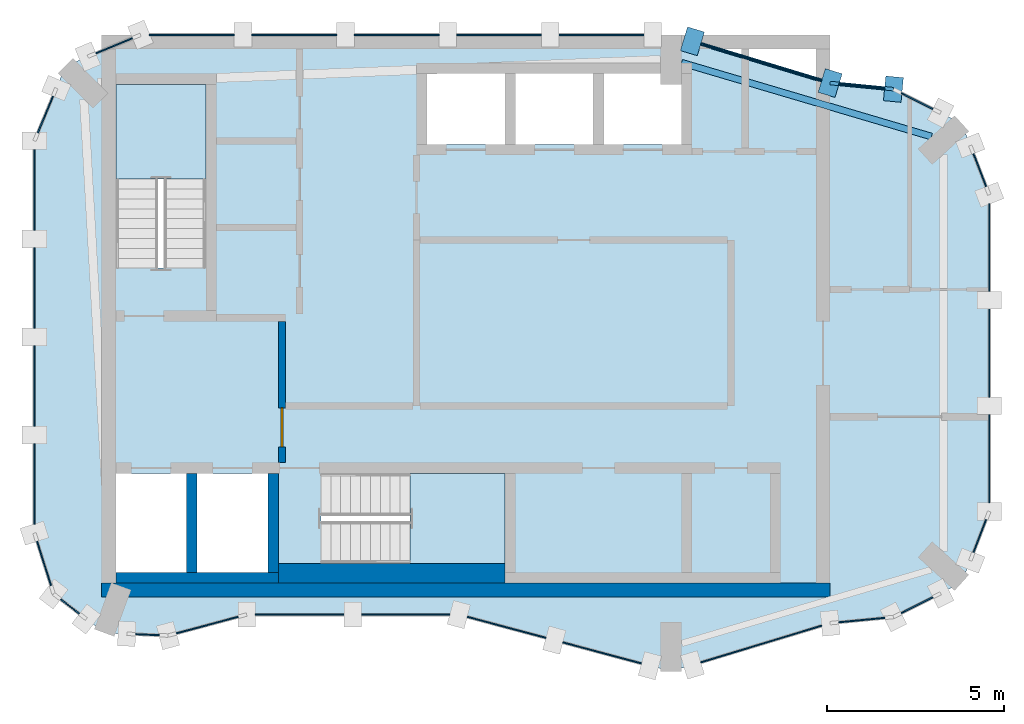
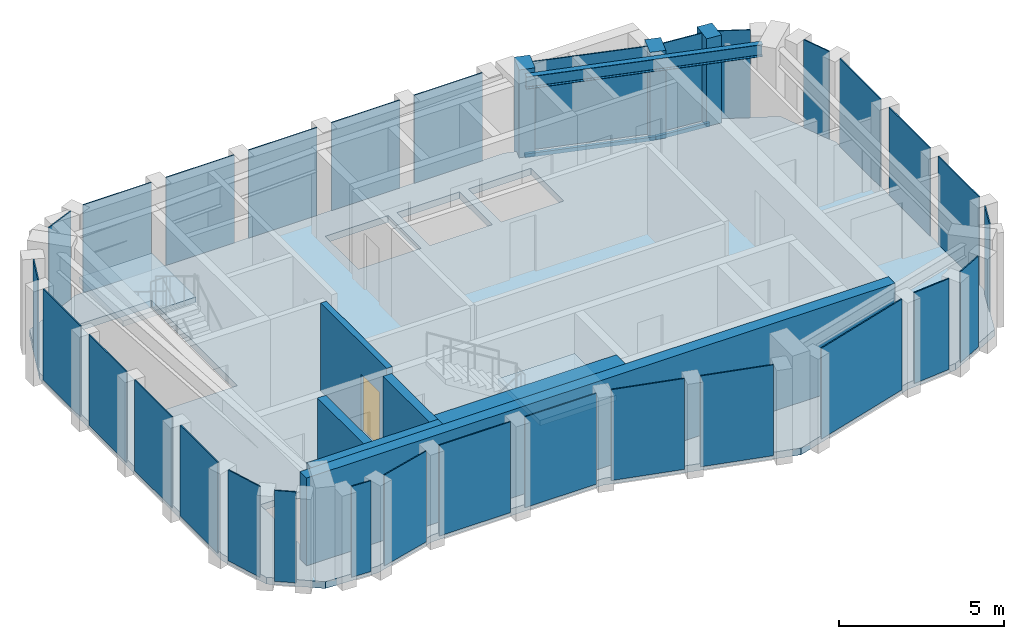
# One storey, part 2 of 5: 30 plates, 6 walls, 5 members, 3 slabs, 1 beam, 1 door, 1 opening, 21 elements without a shape of their own.
"""IFC4 building model written with IfcOpenShell, lengths in metres."""

from ifc_helpers import new_model, si_unit, direction, frame, frame_2d, origin, origin_2d, place, context, subcontext, project, spatial, polyline, rectangle, i_section, outline, extrude, material, layer, layer_set, material_profile, profile_set, type_object, element, fill, aggregate, save


model = new_model("IFC4")

# Units and contexts
model_context = context("Model", 3, precision=1e-05, world=origin(), true_north=direction((0.0, 1.0)))
body_context = subcontext(model_context, "Body", "Model", "MODEL_VIEW")
ifc_project = project(units=[si_unit("LENGTHUNIT", "METRE"), si_unit("AREAUNIT", "SQUARE_METRE"), si_unit("VOLUMEUNIT", "CUBIC_METRE"), si_unit("PLANEANGLEUNIT", "RADIAN"), si_unit("MASSUNIT", "GRAM", prefix="KILO")], contexts=[model_context])

# Site, building, storey
site_placement = place(None, origin())
site = spatial("IfcSite", under=ifc_project, at=site_placement, CompositionType="ELEMENT")
building_placement = place(site_placement, origin())
building = spatial("IfcBuilding", under=site, at=building_placement, Name="Plateau Cross Towers", CompositionType="ELEMENT")
storey_placement = place(building_placement, frame((0.0, 0.0, 305.39990234375)))
storey = spatial("IfcBuildingStorey", under=building, at=storey_placement, Name="L81 Crown 3", CompositionType="ELEMENT", Elevation=305.39990234375)

# Beam
ifc_material_1 = material(Name="Steel S355", Category="steel")
ifc_material_profile_1 = material_profile(ifc_material_1, i_section(OverallWidth=0.18994140625, OverallDepth=0.453369140625, WebThickness=0.008544921875, FlangeThickness=0.0126953125, FilletRadius=0.01025390625, at=origin_2d()), Name="UB 457x191x67")
ifc_profile_set_1 = profile_set([ifc_material_profile_1], Name="Steel S355")
beam_type = type_object("IfcBeamType", Name="Crown ring beam UB 457x191x67", PredefinedType="BEAM", material=ifc_profile_set_1)
beam_placement = place(storey_placement, frame((25.366455078125, 15.122314453125, 3.0234375), z_axis=(-0.958969404993, 0.283509577064, 0.0), x_axis=(-0.283509577064, -0.958969404993, 0.0)))
element("IfcBeam", 1, at=beam_placement, inside=storey, type_object=beam_type, Name="CRB-L81 Crown 3-03", PredefinedType="BEAM", context=body_context, shape_type="SweptSolid", body=[
    extrude(i_section(OverallWidth=0.18994140625, OverallDepth=0.453369140625, WebThickness=0.008544921875, FlangeThickness=0.0126953125, FilletRadius=0.01025390625, at=origin_2d()), origin(), (0.0, 0.0, 1.0), 7.36865234375),
])

# Curtain wall, member
ifc_material_2 = material(Name="Dark low-iron glass", Category="glass")
ifc_layer_1 = layer(ifc_material_2, 0.800048828125)
ifc_layer_set_1 = layer_set([ifc_layer_1], Name="Dark low-iron glass")
curtain_wall_type = type_object("IfcCurtainWallType", Name="Curtain wall sky lounge CW-D", PredefinedType="NOTDEFINED", material=ifc_layer_set_1)
curtain_wall_1_placement = place(storey_placement, origin())
curtain_wall_1 = element("IfcCurtainWall", 2, at=curtain_wall_1_placement, inside=storey, type_object=curtain_wall_type, Name="ENV/A/L81 Crown 3/A243_165", PredefinedType="NOTDEFINED")
ifc_material_3 = material(Name="Black anodised aluminium", Category="aluminium")
ifc_material_profile_2 = material_profile(ifc_material_3, rectangle(XDim=0.5, YDim=0.699951171875, at=origin_2d()), Name="MULLION 500x700")
ifc_profile_set_2 = profile_set([ifc_material_profile_2], Name="Black anodised aluminium")
member_type_1 = type_object("IfcMemberType", Name="Mullion 500x700 sky lounge", PredefinedType="MULLION", material=ifc_profile_set_2)
member_1_placement = place(storey_placement, frame((24.289794921875, 16.463134765625, -0.25), z_axis=(0.0, 0.0, 1.0), x_axis=(-0.995322680406, 0.096606220658, 0.0)))
member_1 = element("IfcMember", 3, at=member_1_placement, type_object=member_type_1, Name="CW-D mullion 1", PredefinedType="MULLION", context=body_context, shape_type="SweptSolid", body=[
    extrude(rectangle(XDim=0.5, YDim=0.699951171875, at=origin_2d()), origin(), (0.0, 0.0, 1.0), 3.5),
])

# Curtain wall, members
curtain_wall_2_placement = place(storey_placement, origin())
curtain_wall_2 = element("IfcCurtainWall", 4, at=curtain_wall_2_placement, inside=storey, type_object=curtain_wall_type, Name="ENV/A/L81 Crown 3/A225_166", PredefinedType="NOTDEFINED")
member_2_placement = place(storey_placement, frame((22.5, 16.63671875, -0.25), z_axis=(0.0, 0.0, 1.0), x_axis=(-0.957048328724, 0.289928433386, 0.0)))
member_2 = element("IfcMember", 5, at=member_2_placement, type_object=member_type_1, Name="CW-D mullion 1", PredefinedType="MULLION", context=body_context, shape_type="SweptSolid", body=[
    extrude(rectangle(XDim=0.5, YDim=0.699951171875, at=origin_2d()), origin(), (0.0, 0.0, 1.0), 3.5),
])
member_3_placement = place(storey_placement, frame((18.60546875, 17.816650390625, -0.25), z_axis=(0.0, 0.0, 1.0), x_axis=(-0.957048328724, 0.289928433386, 0.0)))
member_3 = element("IfcMember", 6, at=member_3_placement, type_object=member_type_1, Name="CW-D mullion 2", PredefinedType="MULLION", context=body_context, shape_type="SweptSolid", body=[
    extrude(rectangle(XDim=0.5, YDim=0.699951171875, at=origin_2d()), origin(), (0.0, 0.0, 1.0), 3.5),
])

# Member
ifc_material_profile_3 = material_profile(ifc_material_3, rectangle(XDim=0.10009765625, YDim=0.139892578125, at=origin_2d()), Name="TRANSOM 100x140")
ifc_profile_set_3 = profile_set([ifc_material_profile_3], Name="Black anodised aluminium")
member_type_2 = type_object("IfcMemberType", Name="Transom 100x140 sky lounge", PredefinedType="USERDEFINED", material=ifc_profile_set_3)
member_4_placement = place(storey_placement, frame((24.289794921875, 16.463134765625, -0.179931640625), z_axis=(-0.995329836219, 0.096532466724, 0.0), x_axis=(-0.096532466724, -0.995329836219, 0.0)))
member_4 = element("IfcMember", 7, at=member_4_placement, type_object=member_type_2, Name="CW-D transom", ObjectType="TRANSOM", PredefinedType="USERDEFINED", context=body_context, shape_type="SweptSolid", body=[
    extrude(rectangle(XDim=0.10009765625, YDim=0.139892578125, at=origin_2d()), origin(), (0.0, 0.0, 1.0), 1.798095703125),
])

member_5_placement = place(storey_placement, frame((22.5, 16.63671875, -0.179931640625), z_axis=(-0.957040045132, 0.289955775961, 0.0), x_axis=(-0.289955775961, -0.957040045132, 0.0)))
member_5 = element("IfcMember", 8, at=member_5_placement, type_object=member_type_2, Name="CW-D transom", ObjectType="TRANSOM", PredefinedType="USERDEFINED", context=body_context, shape_type="SweptSolid", body=[
    extrude(rectangle(XDim=0.10009765625, YDim=0.139892578125, at=origin_2d()), origin(), (0.0, 0.0, 1.0), 4.0693359375),
])

# Curtain wall, plate
curtain_wall_3_placement = place(storey_placement, origin())
curtain_wall_3 = element("IfcCurtainWall", 9, at=curtain_wall_3_placement, inside=storey, type_object=curtain_wall_type, Name="ENV/A/L81 Crown 3/A38_10", PredefinedType="NOTDEFINED")
ifc_layer_2 = layer(ifc_material_2, 0.0400390625)
ifc_layer_set_2 = layer_set([ifc_layer_2], Name="Dark low-iron glass")
plate_type = type_object("IfcPlateType", Name="Glass panel 40 sky lounge", PredefinedType="CURTAIN_PANEL", material=ifc_layer_set_2)
plate_1_placement = place(storey_placement, frame((4.887939453125, 1.30908203125, -0.10986328125), z_axis=(0.0, 0.0, 1.0), x_axis=(0.965957962328, 0.258699081978, 0.0)))
plate_1 = element("IfcPlate", 10, at=plate_1_placement, type_object=plate_type, Name="CW-D panel 1", PredefinedType="CURTAIN_PANEL", context=body_context, shape_type="SweptSolid", body=[
    extrude(rectangle(XDim=1.80224609375, YDim=0.0400390625, at=origin_2d()), origin(), (0.0, 0.0, 1.0), 3.360107421875),
])
aggregate(curtain_wall_3, [plate_1])

# Curtain wall, plates
curtain_wall_4_placement = place(storey_placement, origin())
curtain_wall_4 = element("IfcCurtainWall", 11, at=curtain_wall_4_placement, inside=storey, type_object=curtain_wall_type, Name="ENV/A/L81 Crown 3/A60_16", PredefinedType="NOTDEFINED")
plate_2_placement = place(storey_placement, frame((7.5, 1.60693359375, -0.10986328125), z_axis=(0.0, 0.0, 1.0), x_axis=(1.0, 0.0, 0.0)))
plate_2 = element("IfcPlate", 12, at=plate_2_placement, type_object=plate_type, Name="CW-D panel 1", PredefinedType="CURTAIN_PANEL", context=body_context, shape_type="SweptSolid", body=[
    extrude(rectangle(XDim=2.5, YDim=0.0400390625, at=origin_2d()), origin(), (0.0, 0.0, 1.0), 3.360107421875),
])
plate_3_placement = place(storey_placement, frame((10.5, 1.60693359375, -0.10986328125), z_axis=(0.0, 0.0, 1.0), x_axis=(1.0, 0.0, 0.0)))
plate_3 = element("IfcPlate", 13, at=plate_3_placement, type_object=plate_type, Name="CW-D panel 2", PredefinedType="CURTAIN_PANEL", context=body_context, shape_type="SweptSolid", body=[
    extrude(rectangle(XDim=2.5, YDim=0.0400390625, at=origin_2d()), origin(), (0.0, 0.0, 1.0), 3.360107421875),
])
aggregate(curtain_wall_4, [plate_2, plate_3])

curtain_wall_5_placement = place(storey_placement, origin())
curtain_wall_5 = element("IfcCurtainWall", 14, at=curtain_wall_5_placement, inside=storey, type_object=curtain_wall_type, Name="ENV/A/L81 Crown 3/A120_16", PredefinedType="NOTDEFINED")
plate_4_placement = place(storey_placement, frame((13.350830078125, 1.2451171875, -0.10986328125), z_axis=(0.0, 0.0, 1.0), x_axis=(0.965957983404, -0.258699003279, 0.0)))
plate_4 = element("IfcPlate", 15, at=plate_4_placement, type_object=plate_type, Name="CW-D panel 1", PredefinedType="CURTAIN_PANEL", context=body_context, shape_type="SweptSolid", body=[
    extrude(rectangle(XDim=2.296875, YDim=0.0400390625, at=origin_2d()), origin(), (0.0, 0.0, 1.0), 3.360107421875),
])
plate_5_placement = place(storey_placement, frame((16.05224609375, 0.521728515625, -0.10986328125), z_axis=(0.0, 0.0, 1.0), x_axis=(0.965957983404, -0.258699003279, 0.0)))
plate_5 = element("IfcPlate", 16, at=plate_5_placement, type_object=plate_type, Name="CW-D panel 2", PredefinedType="CURTAIN_PANEL", context=body_context, shape_type="SweptSolid", body=[
    extrude(rectangle(XDim=2.296875, YDim=0.0400390625, at=origin_2d()), origin(), (0.0, 0.0, 1.0), 3.360107421875),
])
aggregate(curtain_wall_5, [plate_4, plate_5])

# Curtain wall, plate
curtain_wall_6_placement = place(storey_placement, origin())
curtain_wall_6 = element("IfcCurtainWall", 17, at=curtain_wall_6_placement, inside=storey, type_object=curtain_wall_type, Name="ENV/A/L81 Crown 3/A186_2", PredefinedType="NOTDEFINED")
plate_6_placement = place(storey_placement, frame((20.552734375, 0.7734375, -0.10986328125), z_axis=(0.0, 0.0, 1.0), x_axis=(0.957048328724, 0.289928433386, 0.0)))
plate_6 = element("IfcPlate", 18, at=plate_6_placement, type_object=plate_type, Name="CW-D panel 1", PredefinedType="CURTAIN_PANEL", context=body_context, shape_type="SweptSolid", body=[
    extrude(rectangle(XDim=3.5693359375, YDim=0.0400390625, at=origin_2d()), origin(), (0.0, 0.0, 1.0), 3.360107421875),
])
aggregate(curtain_wall_6, [plate_6])

curtain_wall_7_placement = place(storey_placement, origin())
curtain_wall_7 = element("IfcCurtainWall", 19, at=curtain_wall_7_placement, inside=storey, type_object=curtain_wall_type, Name="ENV/A/L81 Crown 3/A225_14", PredefinedType="NOTDEFINED")
plate_7_placement = place(storey_placement, frame((23.39501953125, 1.4501953125, -0.10986328125), z_axis=(0.0, 0.0, 1.0), x_axis=(0.995322680406, 0.096606220658, 0.0)))
plate_7 = element("IfcPlate", 20, at=plate_7_placement, type_object=plate_type, Name="CW-D panel 1", PredefinedType="CURTAIN_PANEL", context=body_context, shape_type="SweptSolid", body=[
    extrude(rectangle(XDim=1.29833984375, YDim=0.0400390625, at=origin_2d()), origin(), (0.0, 0.0, 1.0), 3.360107421875),
])
aggregate(curtain_wall_7, [plate_7])

curtain_wall_8_placement = place(storey_placement, origin())
curtain_wall_8 = element("IfcCurtainWall", 21, at=curtain_wall_8_placement, inside=storey, type_object=curtain_wall_type, Name="ENV/A/L81 Crown 3/A243_15", PredefinedType="NOTDEFINED")
plate_8_placement = place(storey_placement, frame((24.956787109375, 1.871826171875, -0.10986328125), z_axis=(0.0, 0.0, 1.0), x_axis=(0.893702121293, 0.448660805505, 0.0)))
plate_8 = element("IfcPlate", 22, at=plate_8_placement, type_object=plate_type, Name="CW-D panel 1", PredefinedType="CURTAIN_PANEL", context=body_context, shape_type="SweptSolid", body=[
    extrude(rectangle(XDim=0.992431640625, YDim=0.0400390625, at=origin_2d()), origin(), (0.0, 0.0, 1.0), 3.360107421875),
])
aggregate(curtain_wall_8, [plate_8])

curtain_wall_9_placement = place(storey_placement, origin())
curtain_wall_9 = element("IfcCurtainWall", 23, at=curtain_wall_9_placement, inside=storey, type_object=curtain_wall_type, Name="ENV/A/L81 Crown 3/A265_31", PredefinedType="NOTDEFINED")
plate_9_placement = place(storey_placement, frame((26.731201171875, 3.82666015625, -0.10986328125), z_axis=(0.0, 0.0, 1.0), x_axis=(0.360225826244, 0.932865131789, 0.0)))
plate_9 = element("IfcPlate", 24, at=plate_9_placement, type_object=plate_type, Name="CW-D panel 1", PredefinedType="CURTAIN_PANEL", context=body_context, shape_type="SweptSolid", body=[
    extrude(rectangle(XDim=0.992431640625, YDim=0.0400390625, at=origin_2d()), origin(), (0.0, 0.0, 1.0), 3.360107421875),
])
aggregate(curtain_wall_9, [plate_9])

# Curtain wall, plates
curtain_wall_10_placement = place(storey_placement, origin())
curtain_wall_10 = element("IfcCurtainWall", 25, at=curtain_wall_10_placement, inside=storey, type_object=curtain_wall_type, Name="ENV/A/L81 Crown 3/A270_45", PredefinedType="NOTDEFINED")
plate_10_placement = place(storey_placement, frame((27.0, 6.015380859375, -0.10986328125), z_axis=(0.0, 0.0, 1.0), x_axis=(0.0, 1.0, 0.0)))
plate_10 = element("IfcPlate", 26, at=plate_10_placement, type_object=plate_type, Name="CW-D panel 1", PredefinedType="CURTAIN_PANEL", context=body_context, shape_type="SweptSolid", body=[
    extrude(rectangle(XDim=2.484619140625, YDim=0.0400390625, at=origin_2d()), origin(), (0.0, 0.0, 1.0), 3.360107421875),
])
plate_11_placement = place(storey_placement, frame((27.0, 9.0, -0.10986328125), z_axis=(0.0, 0.0, 1.0), x_axis=(0.0, 1.0, 0.0)))
plate_11 = element("IfcPlate", 27, at=plate_11_placement, type_object=plate_type, Name="CW-D panel 2", PredefinedType="CURTAIN_PANEL", context=body_context, shape_type="SweptSolid", body=[
    extrude(rectangle(XDim=2.484619140625, YDim=0.0400390625, at=origin_2d()), origin(), (0.0, 0.0, 1.0), 3.360107421875),
])
plate_12_placement = place(storey_placement, frame((27.0, 11.984619140625, -0.10986328125), z_axis=(0.0, 0.0, 1.0), x_axis=(0.0, 1.0, 0.0)))
plate_12 = element("IfcPlate", 28, at=plate_12_placement, type_object=plate_type, Name="CW-D panel 3", PredefinedType="CURTAIN_PANEL", context=body_context, shape_type="SweptSolid", body=[
    extrude(rectangle(XDim=2.484619140625, YDim=0.0400390625, at=origin_2d()), origin(), (0.0, 0.0, 1.0), 3.360107421875),
])
aggregate(curtain_wall_10, [plate_10, plate_11, plate_12])

# Curtain wall, plate
curtain_wall_11_placement = place(storey_placement, origin())
curtain_wall_11 = element("IfcCurtainWall", 29, at=curtain_wall_11_placement, inside=storey, type_object=curtain_wall_type, Name="ENV/A/L81 Crown 3/A270_135", PredefinedType="NOTDEFINED")
plate_13_placement = place(storey_placement, frame((26.731201171875, 14.17333984375, -0.10986328125), z_axis=(0.0, 0.0, 1.0), x_axis=(-0.360225826244, 0.932865131789, 0.0)))
plate_13 = element("IfcPlate", 30, at=plate_13_placement, type_object=plate_type, Name="CW-D panel 1", PredefinedType="CURTAIN_PANEL", context=body_context, shape_type="SweptSolid", body=[
    extrude(rectangle(XDim=0.992431640625, YDim=0.0400390625, at=origin_2d()), origin(), (0.0, 0.0, 1.0), 3.360107421875),
])
aggregate(curtain_wall_11, [plate_13])

curtain_wall_12_placement = place(storey_placement, origin())
curtain_wall_12 = element("IfcCurtainWall", 31, at=curtain_wall_12_placement, inside=storey, type_object=curtain_wall_type, Name="ENV/A/L81 Crown 3/A256_158", PredefinedType="NOTDEFINED")
plate_14_placement = place(storey_placement, frame((24.956787109375, 16.128173828125, -0.10986328125), z_axis=(0.0, 0.0, 1.0), x_axis=(-0.893702121293, 0.448660805505, 0.0)))
plate_14 = element("IfcPlate", 32, at=plate_14_placement, type_object=plate_type, Name="CW-D panel 1", PredefinedType="CURTAIN_PANEL", context=body_context, shape_type="SweptSolid", body=[
    extrude(rectangle(XDim=0.992431640625, YDim=0.0400390625, at=origin_2d()), origin(), (0.0, 0.0, 1.0), 3.360107421875),
])
aggregate(curtain_wall_12, [plate_14])

# Plate
plate_15_placement = place(storey_placement, frame((23.39501953125, 16.5498046875, -0.10986328125), z_axis=(0.0, 0.0, 1.0), x_axis=(-0.995322680406, 0.096606220658, 0.0)))
plate_15 = element("IfcPlate", 33, at=plate_15_placement, type_object=plate_type, Name="CW-D panel 1", PredefinedType="CURTAIN_PANEL", context=body_context, shape_type="SweptSolid", body=[
    extrude(rectangle(XDim=1.29833984375, YDim=0.0400390625, at=origin_2d()), origin(), (0.0, 0.0, 1.0), 3.360107421875),
])

aggregate(curtain_wall_1, [member_1, member_4, plate_15])

plate_16_placement = place(storey_placement, frame((20.552734375, 17.2265625, -0.10986328125), z_axis=(0.0, 0.0, 1.0), x_axis=(-0.957048328724, 0.289928433386, 0.0)))
plate_16 = element("IfcPlate", 34, at=plate_16_placement, type_object=plate_type, Name="CW-D panel 1", PredefinedType="CURTAIN_PANEL", context=body_context, shape_type="SweptSolid", body=[
    extrude(rectangle(XDim=3.5693359375, YDim=0.0400390625, at=origin_2d()), origin(), (0.0, 0.0, 1.0), 3.360107421875),
])

aggregate(curtain_wall_2, [member_2, member_3, member_5, plate_16])

# Curtain wall, plates
curtain_wall_13_placement = place(storey_placement, origin())
curtain_wall_13 = element("IfcCurtainWall", 35, at=curtain_wall_13_placement, inside=storey, type_object=curtain_wall_type, Name="ENV/A/L81 Crown 3/A175_180", PredefinedType="NOTDEFINED")
plate_17_placement = place(storey_placement, frame((16.03662109375, 18.0, -0.10986328125), z_axis=(0.0, 0.0, 1.0), x_axis=(-1.0, 0.0, 0.0)))
plate_17 = element("IfcPlate", 36, at=plate_17_placement, type_object=plate_type, Name="CW-D panel 1", PredefinedType="CURTAIN_PANEL", context=body_context, shape_type="SweptSolid", body=[
    extrude(rectangle(XDim=2.39697265625, YDim=0.0400390625, at=origin_2d()), origin(), (0.0, 0.0, 1.0), 3.360107421875),
])
plate_18_placement = place(storey_placement, frame((13.139404296875, 18.0, -0.10986328125), z_axis=(0.0, 0.0, 1.0), x_axis=(-1.0, 0.0, 0.0)))
plate_18 = element("IfcPlate", 37, at=plate_18_placement, type_object=plate_type, Name="CW-D panel 2", PredefinedType="CURTAIN_PANEL", context=body_context, shape_type="SweptSolid", body=[
    extrude(rectangle(XDim=2.39697265625, YDim=0.0400390625, at=origin_2d()), origin(), (0.0, 0.0, 1.0), 3.360107421875),
])
plate_19_placement = place(storey_placement, frame((10.242431640625, 18.0, -0.10986328125), z_axis=(0.0, 0.0, 1.0), x_axis=(-1.0, 0.0, 0.0)))
plate_19 = element("IfcPlate", 38, at=plate_19_placement, type_object=plate_type, Name="CW-D panel 3", PredefinedType="CURTAIN_PANEL", context=body_context, shape_type="SweptSolid", body=[
    extrude(rectangle(XDim=2.39697265625, YDim=0.0400390625, at=origin_2d()), origin(), (0.0, 0.0, 1.0), 3.360107421875),
])
plate_20_placement = place(storey_placement, frame((7.345458984375, 18.0, -0.10986328125), z_axis=(0.0, 0.0, 1.0), x_axis=(-1.0, 0.0, 0.0)))
plate_20 = element("IfcPlate", 39, at=plate_20_placement, type_object=plate_type, Name="CW-D panel 4", PredefinedType="CURTAIN_PANEL", context=body_context, shape_type="SweptSolid", body=[
    extrude(rectangle(XDim=2.39697265625, YDim=0.0400390625, at=origin_2d()), origin(), (0.0, 0.0, 1.0), 3.360107421875),
])
plate_21_placement = place(storey_placement, frame((4.448486328125, 18.0, -0.10986328125), z_axis=(0.0, 0.0, 1.0), x_axis=(-1.0, 0.0, 0.0)))
plate_21 = element("IfcPlate", 40, at=plate_21_placement, type_object=plate_type, Name="CW-D panel 5", PredefinedType="CURTAIN_PANEL", context=body_context, shape_type="SweptSolid", body=[
    extrude(rectangle(XDim=2.39697265625, YDim=0.0400390625, at=origin_2d()), origin(), (0.0, 0.0, 1.0), 3.360107421875),
])
aggregate(curtain_wall_13, [plate_17, plate_18, plate_19, plate_20, plate_21])

# Curtain wall, plate
curtain_wall_14_placement = place(storey_placement, origin())
curtain_wall_14 = element("IfcCurtainWall", 41, at=curtain_wall_14_placement, inside=storey, type_object=curtain_wall_type, Name="ENV/A/L81 Crown 3/A30_180", PredefinedType="NOTDEFINED")
plate_22_placement = place(storey_placement, frame((2.254150390625, 17.69091796875, -0.10986328125), z_axis=(0.0, 0.0, 1.0), x_axis=(-0.923879457699, -0.382683612978, 0.0)))
plate_22 = element("IfcPlate", 42, at=plate_22_placement, type_object=plate_type, Name="CW-D panel 1", PredefinedType="CURTAIN_PANEL", context=body_context, shape_type="SweptSolid", body=[
    extrude(rectangle(XDim=1.11474609375, YDim=0.0400390625, at=origin_2d()), origin(), (0.0, 0.0, 1.0), 3.360107421875),
])
aggregate(curtain_wall_14, [plate_22])

curtain_wall_15_placement = place(storey_placement, origin())
curtain_wall_15 = element("IfcCurtainWall", 43, at=curtain_wall_15_placement, inside=storey, type_object=curtain_wall_type, Name="ENV/A/L81 Crown 3/A6_165", PredefinedType="NOTDEFINED")
plate_23_placement = place(storey_placement, frame((0.30908203125, 15.745849609375, -0.10986328125), z_axis=(0.0, 0.0, 1.0), x_axis=(-0.382683612978, -0.923879457699, 0.0)))
plate_23 = element("IfcPlate", 44, at=plate_23_placement, type_object=plate_type, Name="CW-D panel 1", PredefinedType="CURTAIN_PANEL", context=body_context, shape_type="SweptSolid", body=[
    extrude(rectangle(XDim=1.11474609375, YDim=0.0400390625, at=origin_2d()), origin(), (0.0, 0.0, 1.0), 3.360107421875),
])
aggregate(curtain_wall_15, [plate_23])

# Curtain wall, plates
curtain_wall_16_placement = place(storey_placement, origin())
curtain_wall_16 = element("IfcCurtainWall", 45, at=curtain_wall_16_placement, inside=storey, type_object=curtain_wall_type, Name="ENV/A/L81 Crown 3/A0_150", PredefinedType="NOTDEFINED")
plate_24_placement = place(storey_placement, frame((0.0, 13.613525390625, -0.10986328125), z_axis=(0.0, 0.0, 1.0), x_axis=(0.0, -1.0, 0.0)))
plate_24 = element("IfcPlate", 46, at=plate_24_placement, type_object=plate_type, Name="CW-D panel 1", PredefinedType="CURTAIN_PANEL", context=body_context, shape_type="SweptSolid", body=[
    extrude(rectangle(XDim=2.272705078125, YDim=0.0400390625, at=origin_2d()), origin(), (0.0, 0.0, 1.0), 3.360107421875),
])
plate_25_placement = place(storey_placement, frame((0.0, 10.8408203125, -0.10986328125), z_axis=(0.0, 0.0, 1.0), x_axis=(0.0, -1.0, 0.0)))
plate_25 = element("IfcPlate", 47, at=plate_25_placement, type_object=plate_type, Name="CW-D panel 2", PredefinedType="CURTAIN_PANEL", context=body_context, shape_type="SweptSolid", body=[
    extrude(rectangle(XDim=2.272705078125, YDim=0.0400390625, at=origin_2d()), origin(), (0.0, 0.0, 1.0), 3.360107421875),
])
plate_26_placement = place(storey_placement, frame((0.0, 8.068115234375, -0.10986328125), z_axis=(0.0, 0.0, 1.0), x_axis=(0.0, -1.0, 0.0)))
plate_26 = element("IfcPlate", 48, at=plate_26_placement, type_object=plate_type, Name="CW-D panel 3", PredefinedType="CURTAIN_PANEL", context=body_context, shape_type="SweptSolid", body=[
    extrude(rectangle(XDim=2.272705078125, YDim=0.0400390625, at=origin_2d()), origin(), (0.0, 0.0, 1.0), 3.360107421875),
])
plate_27_placement = place(storey_placement, frame((0.0, 5.29541015625, -0.10986328125), z_axis=(0.0, 0.0, 1.0), x_axis=(0.0, -1.0, 0.0)))
plate_27 = element("IfcPlate", 49, at=plate_27_placement, type_object=plate_type, Name="CW-D panel 4", PredefinedType="CURTAIN_PANEL", context=body_context, shape_type="SweptSolid", body=[
    extrude(rectangle(XDim=2.272705078125, YDim=0.0400390625, at=origin_2d()), origin(), (0.0, 0.0, 1.0), 3.360107421875),
])
aggregate(curtain_wall_16, [plate_24, plate_25, plate_26, plate_27])

# Curtain wall, plate
curtain_wall_17_placement = place(storey_placement, origin())
curtain_wall_17 = element("IfcCurtainWall", 50, at=curtain_wall_17_placement, inside=storey, type_object=curtain_wall_type, Name="ENV/A/L81 Crown 3/A0_39", PredefinedType="NOTDEFINED")
plate_28_placement = place(storey_placement, frame((0.271240234375, 3.048828125, -0.10986328125), z_axis=(0.0, 0.0, 1.0), x_axis=(0.300686174994, -0.95372313811, 0.0)))
plate_28 = element("IfcPlate", 51, at=plate_28_placement, type_object=plate_type, Name="CW-D panel 1", PredefinedType="CURTAIN_PANEL", context=body_context, shape_type="SweptSolid", body=[
    extrude(rectangle(XDim=1.30419921875, YDim=0.0400390625, at=origin_2d()), origin(), (0.0, 0.0, 1.0), 3.360107421875),
])
aggregate(curtain_wall_17, [plate_28])

curtain_wall_18_placement = place(storey_placement, origin())
curtain_wall_18 = element("IfcCurtainWall", 52, at=curtain_wall_18_placement, inside=storey, type_object=curtain_wall_type, Name="ENV/A/L81 Crown 3/A5_22", PredefinedType="NOTDEFINED")
plate_29_placement = place(storey_placement, frame((1.005126953125, 1.83349609375, -0.10986328125), z_axis=(0.0, 0.0, 1.0), x_axis=(0.793315514529, -0.608810721331, 0.0)))
plate_29 = element("IfcPlate", 53, at=plate_29_placement, type_object=plate_type, Name="CW-D panel 1", PredefinedType="CURTAIN_PANEL", context=body_context, shape_type="SweptSolid", body=[
    extrude(rectangle(XDim=0.666259765625, YDim=0.0400390625, at=origin_2d()), origin(), (0.0, 0.0, 1.0), 3.360107421875),
])
aggregate(curtain_wall_18, [plate_29])

curtain_wall_19_placement = place(storey_placement, origin())
curtain_wall_19 = element("IfcCurtainWall", 54, at=curtain_wall_19_placement, inside=storey, type_object=curtain_wall_type, Name="ENV/A/L81 Crown 3/A26_11", PredefinedType="NOTDEFINED")
plate_30_placement = place(storey_placement, frame((3.193603515625, 1.036865234375, -0.10986328125), z_axis=(0.0, 0.0, 1.0), x_axis=(0.999043701491, -0.043722791671, 0.0)))
plate_30 = element("IfcPlate", 55, at=plate_30_placement, type_object=plate_type, Name="CW-D panel 1", PredefinedType="CURTAIN_PANEL", context=body_context, shape_type="SweptSolid", body=[
    extrude(rectangle(XDim=0.666259765625, YDim=0.0400390625, at=origin_2d()), origin(), (0.0, 0.0, 1.0), 3.360107421875),
])
aggregate(curtain_wall_19, [plate_30])

# Slab
ifc_material_4 = material(Name="Concrete C40/50", Category="concrete")
ifc_layer_3 = layer(ifc_material_4, 0.25)
ifc_layer_set_3 = layer_set([ifc_layer_3], Name="Concrete C40/50")
slab_type_1 = type_object("IfcSlabType", Name="Post-tensioned flat plate slab 250", PredefinedType="FLOOR", material=ifc_layer_set_3)
slab_1_placement = place(storey_placement, frame((0.0, 0.0, -0.25)))
element("IfcSlab", 56, at=slab_1_placement, inside=storey, type_object=slab_type_1, Name="SL-A-L81 Crown 3", PredefinedType="FLOOR", context=body_context, shape_type="SweptSolid", body=[
    extrude(outline(polyline([(1.9736328125, 1.090087890625), (0.54248046875, 2.1884765625), (0.0, 3.9091796875), (0.0, 15.0), (0.878662109375, 17.121337890625), (3.0, 18.0), (18.0, 18.0), (22.5, 16.63671875), (24.289794921875, 16.463134765625), (26.221435546875, 15.493408203125), (27.0, 13.47705078125), (27.0, 4.52294921875), (26.221435546875, 2.506591796875), (24.289794921875, 1.536865234375), (22.5, 1.36328125), (18.0, 0.0), (12.0, 1.60693359375), (6.0, 1.60693359375), (3.776123046875, 1.01123046875), (1.9736328125, 1.090087890625)]), holes=[polyline([(2.300048828125, 5.60009765625), (2.300048828125, 2.800048828125), (4.300048828125, 2.800048828125), (4.300048828125, 5.60009765625), (2.300048828125, 5.60009765625)]), polyline([(6.60009765625, 5.60009765625), (4.60009765625, 5.60009765625), (4.60009765625, 2.800048828125), (6.60009765625, 2.800048828125), (6.60009765625, 5.60009765625)]), polyline([(13.300048828125, 5.60009765625), (8.10009765625, 5.60009765625), (8.10009765625, 3.050048828125), (13.300048828125, 3.050048828125), (13.300048828125, 5.60009765625)]), polyline([(2.300048828125, 16.60009765625), (2.300048828125, 11.39990234375), (4.85009765625, 11.39990234375), (4.85009765625, 16.60009765625), (2.300048828125, 16.60009765625)]), polyline([(13.300048828125, 16.89990234375), (11.10009765625, 16.89990234375), (11.10009765625, 14.89990234375), (13.300048828125, 14.89990234375), (13.300048828125, 16.89990234375)]), polyline([(15.800048828125, 16.89990234375), (13.60009765625, 16.89990234375), (13.60009765625, 14.89990234375), (15.800048828125, 14.89990234375), (15.800048828125, 16.89990234375)]), polyline([(18.300048828125, 16.89990234375), (16.10009765625, 16.89990234375), (16.10009765625, 14.89990234375), (18.300048828125, 14.89990234375), (18.300048828125, 16.89990234375)])]), origin(), (0.0, 0.0, 1.0), 0.25),
])

# Stair, slab
stair_type = type_object("IfcStairType", Name="ST-TWR", PredefinedType="HALF_TURN_STAIR", material=ifc_material_4)
stair_1_placement = place(storey_placement, origin())
stair_1 = element("IfcStair", 57, at=stair_1_placement, inside=storey, type_object=stair_type, Name="L81 Crown 3 Protected Exit Stair ST-1", PredefinedType="HALF_TURN_STAIR")
ifc_layer_4 = layer(ifc_material_4, 0.199951171875)
ifc_layer_set_4 = layer_set([ifc_layer_4], Name="Concrete C40/50")
slab_type_2 = type_object("IfcSlabType", Name="SL-LANDING", PredefinedType="LANDING", material=ifc_layer_set_4)
slab_2_placement = place(storey_placement, frame((0.0, 0.0, 1.550048828125)))
slab_2 = element("IfcSlab", 58, at=slab_2_placement, type_object=slab_type_2, Name="ST-1 landing 1", PredefinedType="LANDING", context=body_context, shape_type="SweptSolid", body=[
    extrude(outline(polyline([(4.85009765625, 13.919921875), (4.85009765625, 16.60009765625), (2.300048828125, 16.60009765625), (2.300048828125, 13.919921875), (4.85009765625, 13.919921875)])), origin(), (0.0, 0.0, 1.0), 0.199951171875),
])
aggregate(stair_1, [slab_2])

stair_2_placement = place(storey_placement, origin())
stair_2 = element("IfcStair", 59, at=stair_2_placement, inside=storey, type_object=stair_type, Name="L81 Crown 3 Protected Exit Stair ST-2", PredefinedType="HALF_TURN_STAIR")
slab_3_placement = place(storey_placement, frame((0.0, 0.0, 1.550048828125)))
slab_3 = element("IfcSlab", 60, at=slab_3_placement, type_object=slab_type_2, Name="ST-2 landing 1", PredefinedType="LANDING", context=body_context, shape_type="SweptSolid", body=[
    extrude(outline(polyline([(10.6201171875, 3.050048828125), (13.300048828125, 3.050048828125), (13.300048828125, 5.60009765625), (10.6201171875, 5.60009765625), (10.6201171875, 3.050048828125)])), origin(), (0.0, 0.0, 1.0), 0.199951171875),
])
aggregate(stair_2, [slab_3])

# Wall, opening, door
ifc_material_5 = material(Name="Concrete block, plastered both sides", Category="concrete")
ifc_layer_5 = layer(ifc_material_5, 0.199951171875)
ifc_layer_set_5 = layer_set([ifc_layer_5], Name="Concrete block, plastered both sides")
wall_type_1 = type_object("IfcWallType", Name="Core partition 200", PredefinedType="PARTITIONING", material=ifc_layer_set_5)
wall_1_placement = place(storey_placement, frame((7.0, 5.89990234375, 0.0), z_axis=(0.0, 0.0, 1.0), x_axis=(0.0, 1.0, 0.0)))
wall_1 = element("IfcWall", 61, at=wall_1_placement, inside=storey, type_object=wall_type_1, Name="Core partition", PredefinedType="PARTITIONING", context=body_context, shape_type="SweptSolid", body=[
    extrude(rectangle(XDim=4.0, YDim=0.199951171875, at=frame_2d((2.0, 0.0))), origin(), (0.0, 0.0, 1.0), 3.25),
])
opening_placement = place(wall_1_placement, frame((0.449951171875, 0.0, 0.0)))
opening = element("IfcOpeningElement", 62, at=opening_placement, cuts=wall_1, Name="Opening FFD", PredefinedType="OPENING", context=body_context, shape_type="SweptSolid", body=[
    extrude(rectangle(XDim=1.10009765625, YDim=2.10009765625, at=frame_2d((0.550048828125, 1.050048828125))), frame((0.0, 0.10986328125, 0.0), z_axis=(0.0, -1.0, 0.0), x_axis=(1.0, 0.0, 0.0)), (0.0, 0.0, 1.0), 0.219970703125),
])
ifc_material_6 = material(Name="Steel, fire-resisting leaf", Category="steel")
door_type = type_object("IfcDoorType", Name="Firefighting lobby door 1100", OperationType="NOTDEFINED", PredefinedType="DOOR", material=ifc_material_6)
door_placement = place(opening_placement, origin())
door = element("IfcDoor", 63, at=door_placement, inside=storey, type_object=door_type, Name="Firefighting lobby door FFD", OperationType="SINGLE_SWING_LEFT", OverallHeight=2.10009765625, OverallWidth=1.10009765625, PredefinedType="DOOR", context=body_context, shape_type="SweptSolid", body=[
    extrude(rectangle(XDim=1.10009765625, YDim=2.10009765625, at=frame_2d((0.550048828125, 1.050048828125))), frame((0.0, 0.02490234375, 0.0), z_axis=(0.0, -1.0, 0.0), x_axis=(1.0, 0.0, 0.0)), (0.0, 0.0, 1.0), 0.050048828125),
])
fill(opening, door)

# Walls
ifc_material_7 = material(Name="Concrete C60/75", Category="concrete")
ifc_layer_6 = layer(ifc_material_7, 0.300048828125)
ifc_layer_set_6 = layer_set([ifc_layer_6], Name="Concrete C60/75")
wall_type_2 = type_object("IfcWallType", Name="Core shaft wall 300", PredefinedType="SHEAR", material=ifc_layer_set_6)
wall_2_placement = place(storey_placement, frame((2.300048828125, 2.64990234375, 0.0), z_axis=(0.0, 0.0, 1.0), x_axis=(1.0, 0.0, 0.0)))
element("IfcWall", 64, at=wall_2_placement, inside=storey, type_object=wall_type_2, Name="A-sb-back1@L81 Crown 3", PredefinedType="SHEAR", context=body_context, shape_type="SweptSolid", body=[
    extrude(rectangle(XDim=4.599853515625, YDim=0.300048828125, at=frame_2d((2.2998046875, 0.0))), origin(), (0.0, 0.0, 1.0), 3.25),
])
for number, where, z_axis, x_axis, name in (
    (65, (4.449951171875, 2.800048828125, 0.0), (0.0, 0.0, 1.0), (0.0, 1.0, 0.0), "A-sb-v1@L81 Crown 3"),
    (66, (6.75, 2.800048828125, 0.0), (0.0, 0.0, 1.0), (0.0, 1.0, 0.0), "A-sb-v2@L81 Crown 3"),
):
    element("IfcWall", number, at=place(storey_placement, frame(where, z_axis=z_axis, x_axis=x_axis)), inside=storey, type_object=wall_type_2, Name=name, PredefinedType="SHEAR", context=body_context, shape_type="SweptSolid", body=[
        extrude(rectangle(XDim=2.800048828125, YDim=0.300048828125, at=frame_2d((1.39990234375, 0.0))), origin(), (0.0, 0.0, 1.0), 3.25),
    ])
ifc_layer_7 = layer(ifc_material_7, 0.550048828125)
ifc_layer_set_7 = layer_set([ifc_layer_7], Name="Concrete C60/75")
wall_type_3 = type_object("IfcWallType", Name="Core shaft wall 550", PredefinedType="SHEAR", material=ifc_layer_set_7)
wall_3_placement = place(storey_placement, frame((6.89990234375, 2.77490234375, 0.0), z_axis=(0.0, 0.0, 1.0), x_axis=(1.0, 0.0, 0.0)))
element("IfcWall", 67, at=wall_3_placement, inside=storey, type_object=wall_type_3, Name="A-sb-back2@L81 Crown 3", PredefinedType="SHEAR", context=body_context, shape_type="SweptSolid", body=[
    extrude(rectangle(XDim=6.400146484375, YDim=0.550048828125, at=frame_2d((3.2001953125, 0.0))), origin(), (0.0, 0.0, 1.0), 3.25),
])
ifc_layer_8 = layer(ifc_material_7, 0.39990234375)
ifc_layer_set_8 = layer_set([ifc_layer_8], Name="Concrete C60/75")
wall_type_4 = type_object("IfcWallType", Name="Core shell wall 400", PredefinedType="SHEAR", material=ifc_layer_set_8)
wall_4_placement = place(storey_placement, frame((1.89990234375, 2.300048828125, 0.0), z_axis=(0.0, 0.0, 1.0), x_axis=(1.0, 0.0, 0.0)))
element("IfcWall", 68, at=wall_4_placement, inside=storey, type_object=wall_type_4, Name="A-core-S@L81 Crown 3", PredefinedType="SHEAR", context=body_context, shape_type="SweptSolid", body=[
    extrude(rectangle(XDim=20.60009765625, YDim=0.39990234375, at=frame_2d((10.300048828125, 0.0))), origin(), (0.0, 0.0, 1.0), 3.25),
])

save(model, "model.ifc")
